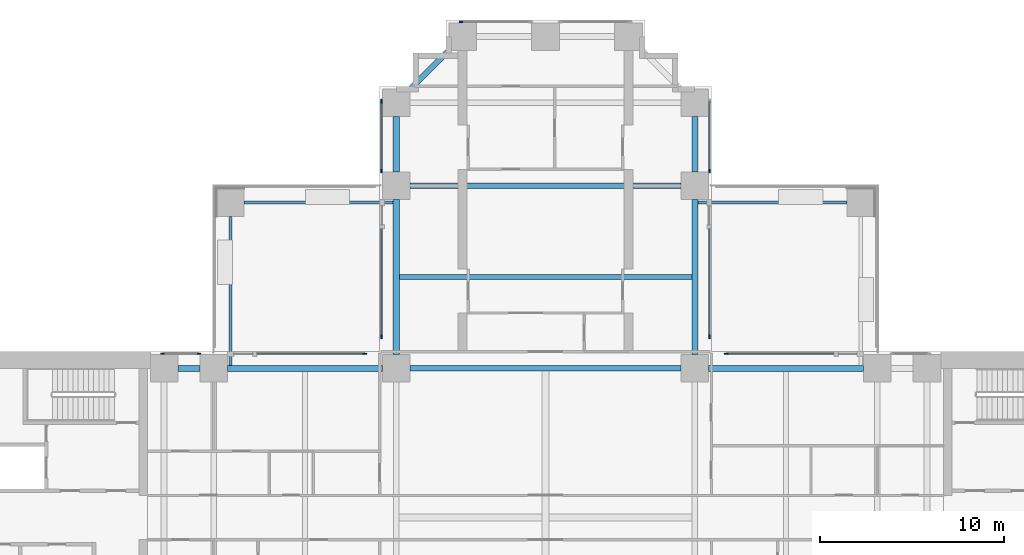
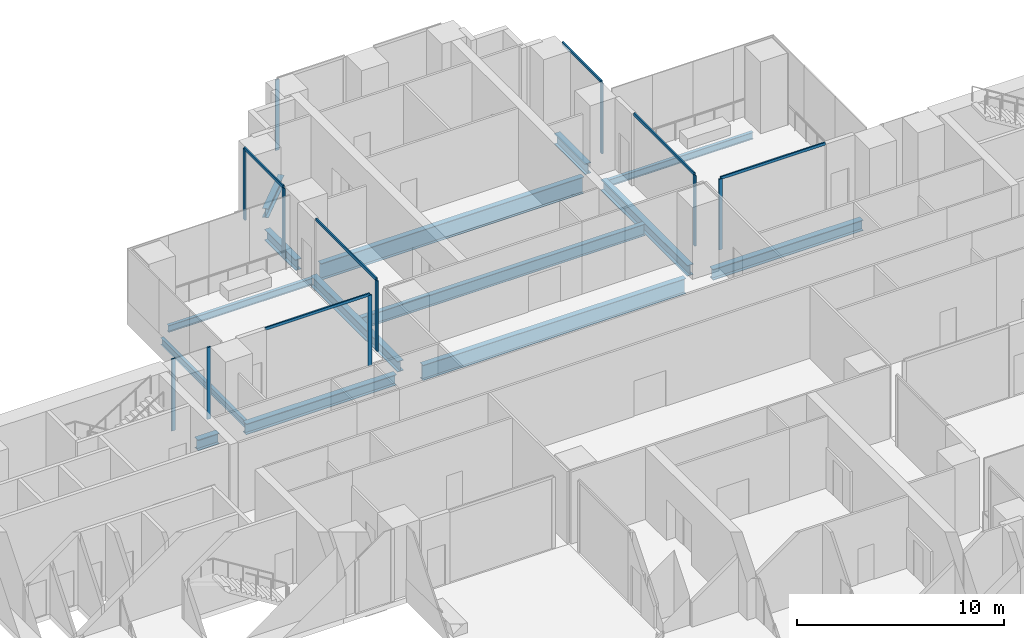
# One storey, part 4 of 15: 16 members, 14 beams, 8 elements without a shape of their own.
"""IFC4 building model written with IfcOpenShell, lengths in metres."""

from ifc_helpers import new_model, si_unit, direction, frame, origin, origin_2d, place, context, subcontext, project, spatial, rectangle, i_section, extrude, material, material_profile, profile_set, type_object, element, aggregate, save


model = new_model("IFC4")

# Units and contexts
model_context = context("Model", 3, precision=1e-05, world=origin(), true_north=direction((0.0, 1.0)))
body_context = subcontext(model_context, "Body", "Model", "MODEL_VIEW")
ifc_project = project(units=[si_unit("LENGTHUNIT", "METRE"), si_unit("AREAUNIT", "SQUARE_METRE"), si_unit("VOLUMEUNIT", "CUBIC_METRE"), si_unit("PLANEANGLEUNIT", "RADIAN"), si_unit("MASSUNIT", "GRAM", prefix="KILO")], contexts=[model_context])

# Site, building, storey
site_placement = place(None, origin())
site = spatial("IfcSite", under=ifc_project, at=site_placement, CompositionType="ELEMENT")
building_placement = place(site_placement, origin())
building = spatial("IfcBuilding", under=site, at=building_placement, Name="Perihelion Cross Residences", CompositionType="ELEMENT")
storey_placement = place(building_placement, frame((0.0, 0.0, 32.0)))
storey = spatial("IfcBuildingStorey", under=building, at=storey_placement, Name="L04", CompositionType="ELEMENT", Elevation=32.0)

# Curtain wall, member
ifc_material_1 = material(Name="Bronze anodised aluminium, tinted glazing", Category="aluminium")
curtain_wall_type = type_object("IfcCurtainWallType", Name="CW2", PredefinedType="NOTDEFINED", material=ifc_material_1)
curtain_wall_1_placement = place(storey_placement, origin())
curtain_wall_1 = element("IfcCurtainWall", 1, at=curtain_wall_1_placement, inside=storey, type_object=curtain_wall_type, Name="Curtain wall CW2 L04 east side north bay 2", PredefinedType="NOTDEFINED")
ifc_material_2 = material(Name="Bronze anodised aluminium", Category="aluminium")
ifc_material_profile_1 = material_profile(ifc_material_2, rectangle(XDim=0.080078125, YDim=0.199951171875, at=origin_2d()), Name="CW2 mullion")
ifc_profile_set_1 = profile_set([ifc_material_profile_1], Name="Bronze anodised aluminium")
member_type_1 = type_object("IfcMemberType", Name="CW2 mullion", PredefinedType="MULLION", material=ifc_profile_set_1)
member_1_placement = place(storey_placement, frame((9.81005859375, 8.889892578125, 0.0), z_axis=(0.0, 0.0, 1.0), x_axis=(0.0, -1.0, 0.0)))
member_1 = element("IfcMember", 2, at=member_1_placement, type_object=member_type_1, Name="CW2 mullion 2", PredefinedType="MULLION", context=body_context, shape_type="SweptSolid", body=[
    extrude(rectangle(XDim=0.080078125, YDim=0.199951171875, at=origin_2d()), origin(), (0.0, 0.0, 1.0), 4.169921875),
])

curtain_wall_2_placement = place(storey_placement, origin())
curtain_wall_2 = element("IfcCurtainWall", 3, at=curtain_wall_2_placement, inside=storey, type_object=curtain_wall_type, Name="Curtain wall CW2 L04 north side east bay 1", PredefinedType="NOTDEFINED")
member_2_placement = place(storey_placement, frame((8.889892578125, 9.81005859375, 0.0), z_axis=(0.0, 0.0, 1.0), x_axis=(-1.0, 0.0, 0.0)))
member_2 = element("IfcMember", 4, at=member_2_placement, type_object=member_type_1, Name="CW2 mullion 1", PredefinedType="MULLION", context=body_context, shape_type="SweptSolid", body=[
    extrude(rectangle(XDim=0.080078125, YDim=0.199951171875, at=origin_2d()), origin(), (0.0, 0.0, 1.0), 4.169921875),
])

curtain_wall_3_placement = place(storey_placement, origin())
curtain_wall_3 = element("IfcCurtainWall", 5, at=curtain_wall_3_placement, inside=storey, type_object=curtain_wall_type, Name="Curtain wall CW2 L04 north side east bay 2", PredefinedType="NOTDEFINED")
member_3_placement = place(storey_placement, frame((8.889892578125, 18.81005859375, 0.0), z_axis=(0.0, 0.0, 1.0), x_axis=(-1.0, 0.0, 0.0)))
member_3 = element("IfcMember", 6, at=member_3_placement, type_object=member_type_1, Name="CW2 mullion 1", PredefinedType="MULLION", context=body_context, shape_type="SweptSolid", body=[
    extrude(rectangle(XDim=0.080078125, YDim=0.199951171875, at=origin_2d()), origin(), (0.0, 0.0, 1.0), 4.169921875),
])

curtain_wall_4_placement = place(storey_placement, origin())
curtain_wall_4 = element("IfcCurtainWall", 7, at=curtain_wall_4_placement, inside=storey, type_object=curtain_wall_type, Name="Curtain wall CW2 L04 north tip north bay 2", PredefinedType="NOTDEFINED")
member_4_placement = place(storey_placement, frame((-4.590087890625, 26.889892578125, 0.0), z_axis=(0.0, 0.0, 1.0), x_axis=(0.0, -1.0, 0.0)))
member_4 = element("IfcMember", 8, at=member_4_placement, type_object=member_type_1, Name="CW2 mullion 2", PredefinedType="MULLION", context=body_context, shape_type="SweptSolid", body=[
    extrude(rectangle(XDim=0.080078125, YDim=0.199951171875, at=origin_2d()), origin(), (0.0, 0.0, 1.0), 4.169921875),
])
aggregate(curtain_wall_4, [member_4])

# Curtain wall, members
curtain_wall_5_placement = place(storey_placement, origin())
curtain_wall_5 = element("IfcCurtainWall", 9, at=curtain_wall_5_placement, inside=storey, type_object=curtain_wall_type, Name="Curtain wall CW2 L04 north side west bay 1", PredefinedType="NOTDEFINED")
member_5_placement = place(storey_placement, frame((-8.889892578125, 22.590087890625, 0.0), z_axis=(0.0, 0.0, 1.0), x_axis=(1.0, 0.0, 0.0)))
member_5 = element("IfcMember", 10, at=member_5_placement, type_object=member_type_1, Name="CW2 mullion 1", PredefinedType="MULLION", context=body_context, shape_type="SweptSolid", body=[
    extrude(rectangle(XDim=0.080078125, YDim=0.199951171875, at=origin_2d()), origin(), (0.0, 0.0, 1.0), 4.169921875),
])
member_6_placement = place(storey_placement, frame((-8.889892578125, 18.81005859375, 0.0), z_axis=(0.0, 0.0, 1.0), x_axis=(1.0, 0.0, 0.0)))
member_6 = element("IfcMember", 11, at=member_6_placement, type_object=member_type_1, Name="CW2 mullion 2", PredefinedType="MULLION", context=body_context, shape_type="SweptSolid", body=[
    extrude(rectangle(XDim=0.080078125, YDim=0.199951171875, at=origin_2d()), origin(), (0.0, 0.0, 1.0), 4.169921875),
])

# Curtain wall, member
curtain_wall_6_placement = place(storey_placement, origin())
curtain_wall_6 = element("IfcCurtainWall", 12, at=curtain_wall_6_placement, inside=storey, type_object=curtain_wall_type, Name="Curtain wall CW2 L04 north side west bay 2", PredefinedType="NOTDEFINED")
member_7_placement = place(storey_placement, frame((-8.889892578125, 9.81005859375, 0.0), z_axis=(0.0, 0.0, 1.0), x_axis=(1.0, 0.0, 0.0)))
member_7 = element("IfcMember", 13, at=member_7_placement, type_object=member_type_1, Name="CW2 mullion 2", PredefinedType="MULLION", context=body_context, shape_type="SweptSolid", body=[
    extrude(rectangle(XDim=0.080078125, YDim=0.199951171875, at=origin_2d()), origin(), (0.0, 0.0, 1.0), 4.169921875),
])

curtain_wall_7_placement = place(storey_placement, origin())
curtain_wall_7 = element("IfcCurtainWall", 14, at=curtain_wall_7_placement, inside=storey, type_object=curtain_wall_type, Name="Curtain wall CW2 L04 west side north bay 1", PredefinedType="NOTDEFINED")
member_8_placement = place(storey_placement, frame((-9.81005859375, 8.889892578125, 0.0), z_axis=(0.0, 0.0, 1.0), x_axis=(0.0, -1.0, 0.0)))
member_8 = element("IfcMember", 15, at=member_8_placement, type_object=member_type_1, Name="CW2 mullion 1", PredefinedType="MULLION", context=body_context, shape_type="SweptSolid", body=[
    extrude(rectangle(XDim=0.080078125, YDim=0.199951171875, at=origin_2d()), origin(), (0.0, 0.0, 1.0), 4.169921875),
])

# Curtain wall, members
curtain_wall_8_placement = place(storey_placement, origin())
curtain_wall_8 = element("IfcCurtainWall", 16, at=curtain_wall_8_placement, inside=storey, type_object=curtain_wall_type, Name="Curtain wall CW2 L04 west side north bay 2", PredefinedType="NOTDEFINED")
member_9_placement = place(storey_placement, frame((-18.81005859375, 8.889892578125, 0.0), z_axis=(0.0, 0.0, 1.0), x_axis=(0.0, -1.0, 0.0)))
member_9 = element("IfcMember", 17, at=member_9_placement, type_object=member_type_1, Name="CW2 mullion 1", PredefinedType="MULLION", context=body_context, shape_type="SweptSolid", body=[
    extrude(rectangle(XDim=0.080078125, YDim=0.199951171875, at=origin_2d()), origin(), (0.0, 0.0, 1.0), 4.25),
])
member_10_placement = place(storey_placement, frame((-20.7900390625, 8.889892578125, 0.0), z_axis=(0.0, 0.0, 1.0), x_axis=(0.0, -1.0, 0.0)))
member_10 = element("IfcMember", 18, at=member_10_placement, type_object=member_type_1, Name="CW2 mullion 2", PredefinedType="MULLION", context=body_context, shape_type="SweptSolid", body=[
    extrude(rectangle(XDim=0.080078125, YDim=0.199951171875, at=origin_2d()), origin(), (0.0, 0.0, 1.0), 4.25),
])
aggregate(curtain_wall_8, [member_9, member_10])

# Member
ifc_material_3 = material(Name="Bronze anodised aluminium", Category="aluminium")
ifc_material_profile_2 = material_profile(ifc_material_3, rectangle(XDim=0.080078125, YDim=0.159912109375, at=origin_2d()), Name="CW2 transom")
ifc_profile_set_2 = profile_set([ifc_material_profile_2], Name="Bronze anodised aluminium")
member_type_2 = type_object("IfcMemberType", Name="CW2 transom", PredefinedType="USERDEFINED", material=ifc_profile_set_2)
member_11_placement = place(storey_placement, frame((15.64990234375, 8.889892578125, 4.2099609375), z_axis=(-1.0, 0.0, 0.0), x_axis=(0.0, -1.0, 0.0)))
member_11 = element("IfcMember", 19, at=member_11_placement, type_object=member_type_2, Name="CW2 head transom", ObjectType="TRANSOM", PredefinedType="USERDEFINED", context=body_context, shape_type="SweptSolid", body=[
    extrude(rectangle(XDim=0.080078125, YDim=0.159912109375, at=origin_2d()), origin(), (0.0, 0.0, 1.0), 5.83984375),
])

aggregate(curtain_wall_1, [member_1, member_11])

member_12_placement = place(storey_placement, frame((8.889892578125, 9.81005859375, 4.2099609375), z_axis=(0.0, 1.0, 0.0), x_axis=(-1.0, 0.0, 0.0)))
member_12 = element("IfcMember", 20, at=member_12_placement, type_object=member_type_2, Name="CW2 head transom", ObjectType="TRANSOM", PredefinedType="USERDEFINED", context=body_context, shape_type="SweptSolid", body=[
    extrude(rectangle(XDim=0.080078125, YDim=0.159912109375, at=origin_2d()), origin(), (0.0, 0.0, 1.0), 5.83984375),
])

aggregate(curtain_wall_2, [member_2, member_12])

member_13_placement = place(storey_placement, frame((8.889892578125, 18.81005859375, 4.2099609375), z_axis=(0.0, 1.0, 0.0), x_axis=(-1.0, 0.0, 0.0)))
member_13 = element("IfcMember", 21, at=member_13_placement, type_object=member_type_2, Name="CW2 head transom", ObjectType="TRANSOM", PredefinedType="USERDEFINED", context=body_context, shape_type="SweptSolid", body=[
    extrude(rectangle(XDim=0.080078125, YDim=0.159912109375, at=origin_2d()), origin(), (0.0, 0.0, 1.0), 3.780029296875),
])

aggregate(curtain_wall_3, [member_3, member_13])

member_14_placement = place(storey_placement, frame((-8.889892578125, 22.590087890625, 4.2099609375), z_axis=(0.0, -1.0, 0.0), x_axis=(1.0, 0.0, 0.0)))
member_14 = element("IfcMember", 22, at=member_14_placement, type_object=member_type_2, Name="CW2 head transom", ObjectType="TRANSOM", PredefinedType="USERDEFINED", context=body_context, shape_type="SweptSolid", body=[
    extrude(rectangle(XDim=0.080078125, YDim=0.159912109375, at=origin_2d()), origin(), (0.0, 0.0, 1.0), 3.780029296875),
])

aggregate(curtain_wall_5, [member_5, member_6, member_14])

member_15_placement = place(storey_placement, frame((-8.889892578125, 15.64990234375, 4.2099609375), z_axis=(0.0, -1.0, 0.0), x_axis=(1.0, 0.0, 0.0)))
member_15 = element("IfcMember", 23, at=member_15_placement, type_object=member_type_2, Name="CW2 head transom", ObjectType="TRANSOM", PredefinedType="USERDEFINED", context=body_context, shape_type="SweptSolid", body=[
    extrude(rectangle(XDim=0.080078125, YDim=0.159912109375, at=origin_2d()), origin(), (0.0, 0.0, 1.0), 5.83984375),
])

aggregate(curtain_wall_6, [member_7, member_15])

member_16_placement = place(storey_placement, frame((-9.81005859375, 8.889892578125, 4.2099609375), z_axis=(-1.0, 0.0, 0.0), x_axis=(0.0, -1.0, 0.0)))
member_16 = element("IfcMember", 24, at=member_16_placement, type_object=member_type_2, Name="CW2 head transom", ObjectType="TRANSOM", PredefinedType="USERDEFINED", context=body_context, shape_type="SweptSolid", body=[
    extrude(rectangle(XDim=0.080078125, YDim=0.159912109375, at=origin_2d()), origin(), (0.0, 0.0, 1.0), 5.83984375),
])

aggregate(curtain_wall_7, [member_8, member_16])

# Beams
ifc_material_4 = material(Name="Steel S355", Category="steel")
ifc_material_profile_3 = material_profile(ifc_material_4, i_section(OverallWidth=0.177978515625, OverallDepth=0.406005859375, WebThickness=0.0078125, FlangeThickness=0.0126953125, at=origin_2d()), Name="W410x60")
ifc_profile_set_3 = profile_set([ifc_material_profile_3], Name="Steel S355")
beam_type_1 = type_object("IfcBeamType", Name="Core edge beam W410x60", PredefinedType="BEAM", material=ifc_profile_set_3)
for number, where, z_axis, x_axis, name in (
    (25, (8.264892578125, 17.10009765625, -0.5029296875), (1.0, 0.0, 0.0), (0.0, 1.0, 0.0), "Core edge beam TB2 L04 corner no. 8"),
    (26, (-17.10009765625, 8.264892578125, -0.5029296875), (0.0, 1.0, 0.0), (-1.0, 0.0, 0.0), "Core edge beam TB2 L04 corner no. 3"),
    (27, (-8.264892578125, 17.10009765625, -0.5029296875), (-1.0, 0.0, 0.0), (0.0, -1.0, 0.0), "Core edge beam TB2 L04 corner no. 4"),
):
    element("IfcBeam", number, at=place(storey_placement, frame(where, z_axis=z_axis, x_axis=x_axis)), inside=storey, type_object=beam_type_1, Name=name, PredefinedType="BEAM", context=body_context, shape_type="SweptSolid", body=[
        extrude(i_section(OverallWidth=0.177978515625, OverallDepth=0.406005859375, WebThickness=0.0078125, FlangeThickness=0.0126953125, at=origin_2d()), origin(), (0.0, 0.0, 1.0), 8.085205078125),
    ])
ifc_material_5 = material(Name="Steel S355", Category="steel")
ifc_material_profile_4 = material_profile(ifc_material_5, i_section(OverallWidth=0.330078125, OverallDepth=0.635009765625, WebThickness=0.017822265625, FlangeThickness=0.031005859375, at=origin_2d()), Name="W610x241")
ifc_profile_set_4 = profile_set([ifc_material_profile_4], Name="Steel S355")
beam_type_2 = type_object("IfcBeamType", Name="Edge beam W610x241", PredefinedType="SPANDREL", material=ifc_profile_set_4)
for number, where, z_axis, x_axis, name in (
    (28, (17.25, 8.10009765625, -0.617431640625), (-1.0, 0.0, 0.0), (0.0, -1.0, 0.0), "Edge beam SB1 L04 no. 13"),
    (29, (8.10009765625, 8.85009765625, -0.617431640625), (0.0, 1.0, 0.0), (-1.0, 0.0, 0.0), "Edge beam SB1 L04 no. 20"),
):
    element("IfcBeam", number, at=place(storey_placement, frame(where, z_axis=z_axis, x_axis=x_axis)), inside=storey, type_object=beam_type_2, Name=name, PredefinedType="SPANDREL", context=body_context, shape_type="SweptSolid", body=[
        extrude(i_section(OverallWidth=0.330078125, OverallDepth=0.635009765625, WebThickness=0.017822265625, FlangeThickness=0.031005859375, at=origin_2d()), origin(), (0.0, 0.0, 1.0), 8.39990234375),
    ])
for number, where, z_axis, x_axis, name in (
    (30, (8.10009765625, 18.75, -0.617431640625), (0.0, 1.0, 0.0), (-1.0, 0.0, 0.0), "Edge beam SB1 L04 no. 19"),
    (31, (-8.10009765625, 21.75, -0.617431640625), (0.0, -1.0, 0.0), (1.0, 0.0, 0.0), "Edge beam SB1 L04 no. 8"),
):
    element("IfcBeam", number, at=place(storey_placement, frame(where, z_axis=z_axis, x_axis=x_axis)), inside=storey, type_object=beam_type_2, Name=name, PredefinedType="SPANDREL", context=body_context, shape_type="SweptSolid", body=[
        extrude(i_section(OverallWidth=0.330078125, OverallDepth=0.635009765625, WebThickness=0.017822265625, FlangeThickness=0.031005859375, at=origin_2d()), origin(), (0.0, 0.0, 1.0), 3.0),
    ])
for number, where, z_axis, x_axis, name in (
    (32, (-8.10009765625, 17.25, -0.617431640625), (0.0, -1.0, 0.0), (1.0, 0.0, 0.0), "Edge beam SB1 L04 no. 7"),
    (33, (-8.85009765625, 8.10009765625, -0.617431640625), (-1.0, 0.0, 0.0), (0.0, -1.0, 0.0), "Edge beam SB1 L04 no. 9"),
):
    element("IfcBeam", number, at=place(storey_placement, frame(where, z_axis=z_axis, x_axis=x_axis)), inside=storey, type_object=beam_type_2, Name=name, PredefinedType="SPANDREL", context=body_context, shape_type="SweptSolid", body=[
        extrude(i_section(OverallWidth=0.330078125, OverallDepth=0.635009765625, WebThickness=0.017822265625, FlangeThickness=0.031005859375, at=origin_2d()), origin(), (0.0, 0.0, 1.0), 8.39990234375),
    ])
beam_1_placement = place(storey_placement, frame((-18.75, 8.10009765625, -0.617431640625), z_axis=(-1.0, 0.0, 0.0), x_axis=(0.0, -1.0, 0.0)))
element("IfcBeam", 34, at=beam_1_placement, inside=storey, type_object=beam_type_2, Name="Edge beam SB1 L04 no. 2", PredefinedType="SPANDREL", context=body_context, shape_type="SweptSolid", body=[
    extrude(i_section(OverallWidth=0.330078125, OverallDepth=0.635009765625, WebThickness=0.017822265625, FlangeThickness=0.031005859375, at=origin_2d()), origin(), (0.0, 0.0, 1.0), 1.199951171875),
])
ifc_material_6 = material(Name="Steel S355", Category="steel")
ifc_material_profile_5 = material_profile(ifc_material_6, i_section(OverallWidth=0.300048828125, OverallDepth=0.97998046875, WebThickness=0.0166015625, FlangeThickness=0.026123046875, at=origin_2d()), Name="W1000x249")
ifc_profile_set_5 = profile_set([ifc_material_profile_5], Name="Steel S355")
beam_type_3 = type_object("IfcBeamType", Name="Floor girder W1000x249", PredefinedType="BEAM", material=ifc_profile_set_5)
beam_2_placement = place(storey_placement, frame((-7.35009765625, 18.0, -0.7900390625), z_axis=(1.0, 0.0, 0.0), x_axis=(0.0, 1.0, 0.0)))
element("IfcBeam", 35, at=beam_2_placement, inside=storey, type_object=beam_type_3, Name="Girder G1 L04 no. 5", PredefinedType="BEAM", context=body_context, shape_type="SweptSolid", body=[
    extrude(i_section(OverallWidth=0.300048828125, OverallDepth=0.97998046875, WebThickness=0.0166015625, FlangeThickness=0.026123046875, at=origin_2d()), origin(), (0.0, 0.0, 1.0), 14.7001953125),
])
ifc_material_7 = material(Name="Steel S355", Category="steel")
ifc_material_profile_6 = material_profile(ifc_material_7, i_section(OverallWidth=0.257080078125, OverallDepth=0.693115234375, WebThickness=0.014404296875, FlangeThickness=0.023681640625, at=origin_2d()), Name="W690x170")
ifc_profile_set_6 = profile_set([ifc_material_profile_6], Name="Steel S355")
beam_type_4 = type_object("IfcBeamType", Name="Floor joist W690x170", PredefinedType="JOIST", material=ifc_profile_set_6)
beam_3_placement = place(storey_placement, frame((-7.93505859375, 13.050048828125, -0.646484375), z_axis=(1.0, 0.0, 0.0), x_axis=(0.0, 1.0, 0.0)))
element("IfcBeam", 36, at=beam_3_placement, inside=storey, type_object=beam_type_4, Name="Joist J1 L04 no. 4", PredefinedType="JOIST", context=body_context, shape_type="SweptSolid", body=[
    extrude(i_section(OverallWidth=0.257080078125, OverallDepth=0.693115234375, WebThickness=0.014404296875, FlangeThickness=0.023681640625, at=origin_2d()), origin(), (0.0, 0.0, 1.0), 15.8701171875),
])
ifc_material_8 = material(Name="Steel S355", Category="steel")
ifc_material_profile_7 = material_profile(ifc_material_8, i_section(OverallWidth=0.304931640625, OverallDepth=0.904052734375, WebThickness=0.01513671875, FlangeThickness=0.02001953125, at=origin_2d()), Name="W920x201")
ifc_profile_set_7 = profile_set([ifc_material_profile_7], Name="Steel S355")
beam_type_5 = type_object("IfcBeamType", Name="Hub ring girder W920x201", PredefinedType="BEAM", material=ifc_profile_set_7)
beam_4_placement = place(storey_placement, frame((7.35009765625, 8.10009765625, -0.751953125), z_axis=(-1.0, 0.0, 0.0), x_axis=(0.0, -1.0, 0.0)))
element("IfcBeam", 37, at=beam_4_placement, inside=storey, type_object=beam_type_5, Name="Hub ring girder RG1 L04 no. 4", PredefinedType="BEAM", context=body_context, shape_type="SweptSolid", body=[
    extrude(i_section(OverallWidth=0.304931640625, OverallDepth=0.904052734375, WebThickness=0.01513671875, FlangeThickness=0.02001953125, at=origin_2d()), origin(), (0.0, 0.0, 1.0), 14.7001953125),
])
ifc_material_9 = material(Name="Steel S355", Category="steel")
ifc_material_profile_8 = material_profile(ifc_material_9, i_section(OverallWidth=0.31201171875, OverallDepth=0.5439453125, WebThickness=0.0126953125, FlangeThickness=0.020263671875, at=origin_2d()), Name="W530x150")
ifc_profile_set_8 = profile_set([ifc_material_profile_8], Name="Steel S355")
beam_type_6 = type_object("IfcBeamType", Name="Serration edge beam W530x150", PredefinedType="BEAM", material=ifc_profile_set_8)
beam_5_placement = place(storey_placement, frame((-5.25, 25.35009765625, -0.572021484375), z_axis=(-0.707106781187, -0.707106781187, 0.0), x_axis=(0.707106781187, -0.707106781187, 0.0)))
element("IfcBeam", 38, at=beam_5_placement, inside=storey, type_object=beam_type_6, Name="Serration edge beam EB1 L04 no. 1", PredefinedType="BEAM", context=body_context, shape_type="SweptSolid", body=[
    extrude(i_section(OverallWidth=0.31201171875, OverallDepth=0.5439453125, WebThickness=0.0126953125, FlangeThickness=0.020263671875, at=origin_2d()), origin(), (0.0, 0.0, 1.0), 2.969970703125),
])

save(model, "model.ifc")
